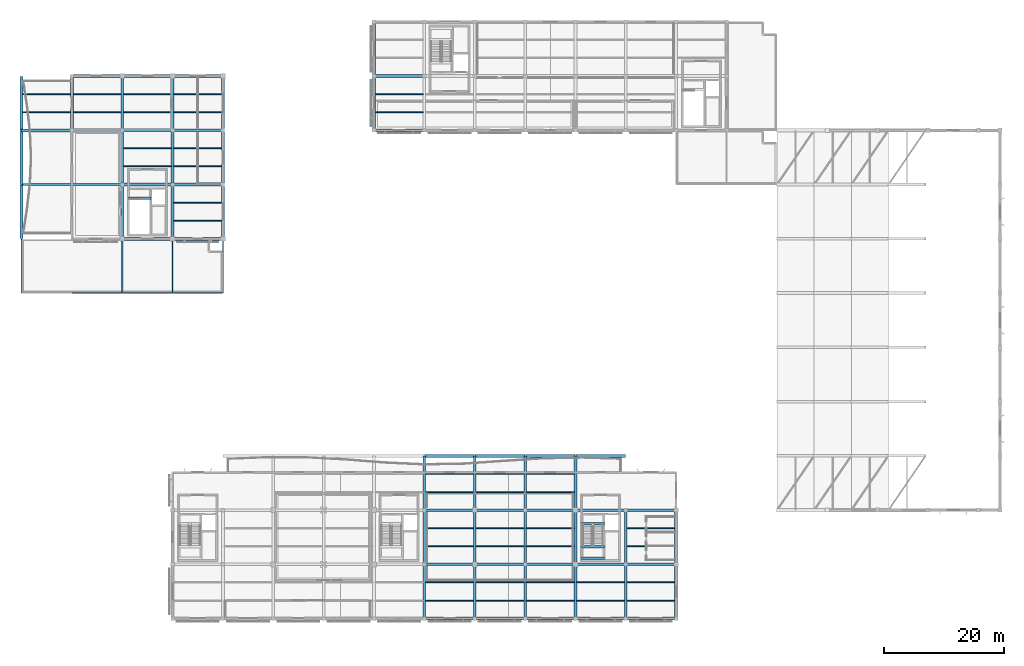
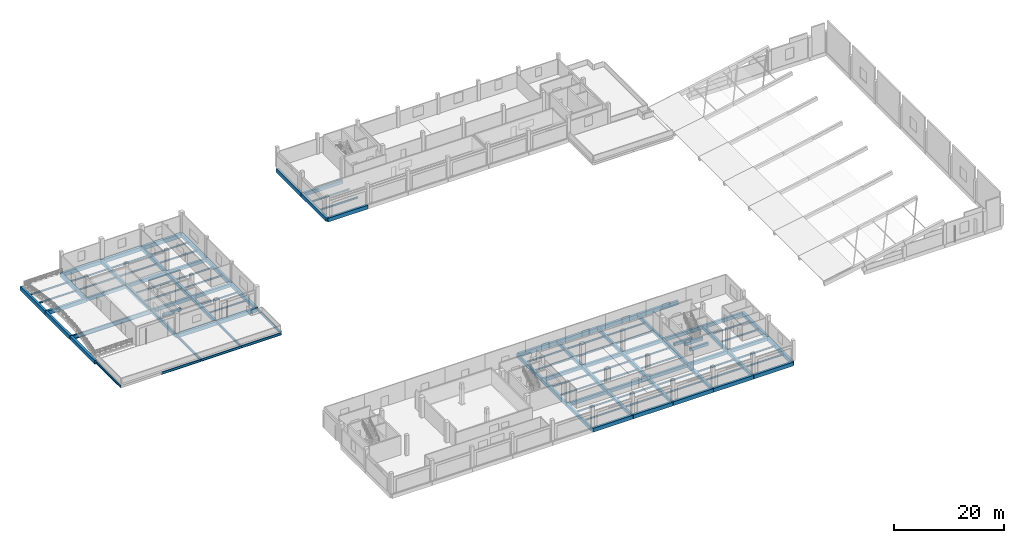
# One storey, part 2 of 34: 115 beams.
"""IFC4 building model written with IfcOpenShell, lengths in metres."""

from ifc_helpers import new_model, si_unit, direction, frame, origin, origin_2d, place, context, subcontext, project, spatial, rectangle, i_section, extrude, material, material_profile, profile_set, type_object, element, save


model = new_model("IFC4")

# Units and contexts
model_context = context("Model", 3, precision=1e-05, world=origin(), true_north=direction((0.0, 1.0)))
body_context = subcontext(model_context, "Body", "Model", "MODEL_VIEW")
ifc_project = project(units=[si_unit("LENGTHUNIT", "METRE"), si_unit("AREAUNIT", "SQUARE_METRE"), si_unit("VOLUMEUNIT", "CUBIC_METRE"), si_unit("PLANEANGLEUNIT", "RADIAN"), si_unit("MASSUNIT", "GRAM", prefix="KILO")], contexts=[model_context])

# Site, building, storey
site_placement = place(None, origin())
site = spatial("IfcSite", under=ifc_project, at=site_placement, CompositionType="ELEMENT")
building_placement = place(site_placement, origin())
building = spatial("IfcBuilding", under=site, at=building_placement, Name="Khurvash Pelagic Aquarium", CompositionType="ELEMENT")
storey_placement = place(building_placement, frame((0.0, 0.0, 15.60009765625)))
storey = spatial("IfcBuildingStorey", under=building, at=storey_placement, Name="L03", CompositionType="ELEMENT", Elevation=15.60009765625)

# Beams
ifc_material_1 = material(Name="Concrete C35/45", Category="concrete")
ifc_material_profile_1 = material_profile(ifc_material_1, rectangle(XDim=0.449951171875, YDim=0.75, at=origin_2d()), Name="RC450X750")
ifc_profile_set_1 = profile_set([ifc_material_profile_1], Name="Concrete C35/45")
beam_type_1 = type_object("IfcBeamType", Name="BM-04", PredefinedType="BEAM", material=ifc_profile_set_1)
for number, where, z_axis, x_axis, name in (
    (1, (67.239990234375, 11.64990234375, -0.695068359375), (1.0, 0.0, 0.0), (0.0, 1.0, 0.0), "L03 Primary Girder BM-04 00846"),
    (2, (75.639892578125, 11.64990234375, -0.695068359375), (1.0, 0.0, 0.0), (0.0, 1.0, 0.0), "L03 Primary Girder BM-04 00847"),
    (3, (84.0400390625, 11.64990234375, -0.695068359375), (1.0, 0.0, 0.0), (0.0, 1.0, 0.0), "L03 Primary Girder BM-04 00848"),
    (4, (92.43994140625, 11.64990234375, -0.695068359375), (1.0, 0.0, 0.0), (0.0, 1.0, 0.0), "L03 Primary Girder BM-04 00849"),
):
    element("IfcBeam", number, at=place(storey_placement, frame(where, z_axis=z_axis, x_axis=x_axis)), inside=storey, type_object=beam_type_1, Name=name, PredefinedType="BEAM", context=body_context, shape_type="SweptSolid", body=[
        extrude(rectangle(XDim=0.449951171875, YDim=0.75, at=origin_2d()), origin(), (0.0, 0.0, 1.0), 8.320068359375),
    ])
beam_1_placement = place(storey_placement, frame((100.840087890625, 11.64990234375, -0.695068359375), z_axis=(1.0, 0.0, 0.0), x_axis=(0.0, 1.0, 0.0)))
element("IfcBeam", 5, at=beam_1_placement, inside=storey, type_object=beam_type_1, Name="L03 Primary Girder BM-04 00850", PredefinedType="BEAM", context=body_context, shape_type="SweptSolid", body=[
    extrude(rectangle(XDim=0.449951171875, YDim=0.75, at=origin_2d()), origin(), (0.0, 0.0, 1.0), 8.31982421875),
])
for number, where, z_axis, x_axis, name in (
    (6, (67.239990234375, 20.699951171875, -0.695068359375), (1.0, 0.0, 0.0), (0.0, 1.0, 0.0), "L03 Primary Girder BM-04 00856"),
    (7, (75.639892578125, 20.699951171875, -0.695068359375), (1.0, 0.0, 0.0), (0.0, 1.0, 0.0), "L03 Primary Girder BM-04 00857"),
    (8, (84.0400390625, 20.699951171875, -0.695068359375), (1.0, 0.0, 0.0), (0.0, 1.0, 0.0), "L03 Primary Girder BM-04 00858"),
    (9, (92.43994140625, 20.699951171875, -0.695068359375), (1.0, 0.0, 0.0), (0.0, 1.0, 0.0), "L03 Primary Girder BM-04 00859"),
):
    element("IfcBeam", number, at=place(storey_placement, frame(where, z_axis=z_axis, x_axis=x_axis)), inside=storey, type_object=beam_type_1, Name=name, PredefinedType="BEAM", context=body_context, shape_type="SweptSolid", body=[
        extrude(rectangle(XDim=0.449951171875, YDim=0.75, at=origin_2d()), origin(), (0.0, 0.0, 1.0), 8.320068359375),
    ])
for number, where, z_axis, x_axis, name in (
    (10, (100.840087890625, 20.699951171875, -0.695068359375), (1.0, 0.0, 0.0), (0.0, 1.0, 0.0), "L03 Primary Girder BM-04 00860"),
    (11, (16.840087890625, 75.0, -0.695068359375), (1.0, 0.0, 0.0), (0.0, 1.0, 0.0), "L03 Primary Girder BM-04 00872"),
):
    element("IfcBeam", number, at=place(storey_placement, frame(where, z_axis=z_axis, x_axis=x_axis)), inside=storey, type_object=beam_type_1, Name=name, PredefinedType="BEAM", context=body_context, shape_type="SweptSolid", body=[
        extrude(rectangle(XDim=0.449951171875, YDim=0.75, at=origin_2d()), origin(), (0.0, 0.0, 1.0), 8.31982421875),
    ])
for number, where, z_axis, x_axis, name in (
    (12, (25.239990234375, 75.0, -0.695068359375), (1.0, 0.0, 0.0), (0.0, 1.0, 0.0), "L03 Primary Girder BM-04 00873"),
    (13, (8.43994140625, 84.050048828125, -0.695068359375), (1.0, 0.0, 0.0), (0.0, 1.0, 0.0), "L03 Primary Girder BM-04 00875"),
):
    element("IfcBeam", number, at=place(storey_placement, frame(where, z_axis=z_axis, x_axis=x_axis)), inside=storey, type_object=beam_type_1, Name=name, PredefinedType="BEAM", context=body_context, shape_type="SweptSolid", body=[
        extrude(rectangle(XDim=0.449951171875, YDim=0.75, at=origin_2d()), origin(), (0.0, 0.0, 1.0), 8.320068359375),
    ])
beam_2_placement = place(storey_placement, frame((16.840087890625, 84.050048828125, -0.695068359375), z_axis=(1.0, 0.0, 0.0), x_axis=(0.0, 1.0, 0.0)))
element("IfcBeam", 14, at=beam_2_placement, inside=storey, type_object=beam_type_1, Name="L03 Primary Girder BM-04 00876", PredefinedType="BEAM", context=body_context, shape_type="SweptSolid", body=[
    extrude(rectangle(XDim=0.449951171875, YDim=0.75, at=origin_2d()), origin(), (0.0, 0.0, 1.0), 8.31982421875),
])
beam_3_placement = place(storey_placement, frame((25.239990234375, 84.050048828125, -0.695068359375), z_axis=(1.0, 0.0, 0.0), x_axis=(0.0, 1.0, 0.0)))
element("IfcBeam", 15, at=beam_3_placement, inside=storey, type_object=beam_type_1, Name="L03 Primary Girder BM-04 00877", PredefinedType="BEAM", context=body_context, shape_type="SweptSolid", body=[
    extrude(rectangle(XDim=0.449951171875, YDim=0.75, at=origin_2d()), origin(), (0.0, 0.0, 1.0), 8.320068359375),
])
beam_4_placement = place(storey_placement, frame((58.840087890625, 93.10009765625, -0.695068359375), z_axis=(1.0, 0.0, 0.0), x_axis=(0.0, 1.0, 0.0)))
element("IfcBeam", 16, at=beam_4_placement, inside=storey, type_object=beam_type_1, Name="L03 Primary Girder BM-04 00888", PredefinedType="BEAM", context=body_context, shape_type="SweptSolid", body=[
    extrude(rectangle(XDim=0.449951171875, YDim=0.75, at=origin_2d()), origin(), (0.0, 0.0, 1.0), 8.31982421875),
])
for number, where, z_axis, x_axis, name in (
    (17, (16.800048828125, 65.989990234375, -0.675048828125), (0.0, 1.0, 0.0), (-1.0, 0.0, 0.0), "L03 Primary Girder BM-04 00906"),
    (18, (16.800048828125, 75.0400390625, -0.675048828125), (0.0, 1.0, 0.0), (-1.0, 0.0, 0.0), "L03 Primary Girder BM-04 00907"),
    (19, (16.800048828125, 84.090087890625, -0.675048828125), (0.0, 1.0, 0.0), (-1.0, 0.0, 0.0), "L03 Primary Girder BM-04 00908"),
    (20, (25.199951171875, 65.989990234375, -0.675048828125), (0.0, 1.0, 0.0), (-1.0, 0.0, 0.0), "L03 Primary Girder BM-04 00911"),
    (21, (25.199951171875, 75.0400390625, -0.675048828125), (0.0, 1.0, 0.0), (-1.0, 0.0, 0.0), "L03 Primary Girder BM-04 00912"),
    (22, (25.199951171875, 84.090087890625, -0.675048828125), (0.0, 1.0, 0.0), (-1.0, 0.0, 0.0), "L03 Primary Girder BM-04 00913"),
):
    element("IfcBeam", number, at=place(storey_placement, frame(where, z_axis=z_axis, x_axis=x_axis)), inside=storey, type_object=beam_type_1, Name=name, PredefinedType="BEAM", context=body_context, shape_type="SweptSolid", body=[
        extrude(rectangle(XDim=0.449951171875, YDim=0.75, at=origin_2d()), origin(), (0.0, 0.0, 1.0), 8.969970703125),
    ])
beam_5_placement = place(storey_placement, frame((67.199951171875, 2.639892578125, -0.675048828125), z_axis=(0.0, 1.0, 0.0), x_axis=(-1.0, 0.0, 0.0)))
element("IfcBeam", 23, at=beam_5_placement, inside=storey, type_object=beam_type_1, Name="L03 Primary Girder BM-04 00930", PredefinedType="BEAM", context=body_context, shape_type="SweptSolid", body=[
    extrude(rectangle(XDim=0.449951171875, YDim=0.75, at=origin_2d()), origin(), (0.0, 0.0, 1.0), 8.97021484375),
])
for number, where, z_axis, x_axis, name in (
    (24, (67.199951171875, 11.68994140625, -0.675048828125), (0.0, 1.0, 0.0), (-1.0, 0.0, 0.0), "L03 Primary Girder BM-04 00931"),
    (25, (67.199951171875, 20.739990234375, -0.675048828125), (0.0, 1.0, 0.0), (-1.0, 0.0, 0.0), "L03 Primary Girder BM-04 00932"),
):
    element("IfcBeam", number, at=place(storey_placement, frame(where, z_axis=z_axis, x_axis=x_axis)), inside=storey, type_object=beam_type_1, Name=name, PredefinedType="BEAM", context=body_context, shape_type="SweptSolid", body=[
        extrude(rectangle(XDim=0.449951171875, YDim=0.75, at=origin_2d()), origin(), (0.0, 0.0, 1.0), 8.969970703125),
    ])
beam_6_placement = place(storey_placement, frame((75.60009765625, 2.639892578125, -0.675048828125), z_axis=(0.0, 1.0, 0.0), x_axis=(-1.0, 0.0, 0.0)))
element("IfcBeam", 26, at=beam_6_placement, inside=storey, type_object=beam_type_1, Name="L03 Primary Girder BM-04 00935", PredefinedType="BEAM", context=body_context, shape_type="SweptSolid", body=[
    extrude(rectangle(XDim=0.449951171875, YDim=0.75, at=origin_2d()), origin(), (0.0, 0.0, 1.0), 8.97021484375),
])
for number, where, z_axis, x_axis, name in (
    (27, (75.60009765625, 11.68994140625, -0.675048828125), (0.0, 1.0, 0.0), (-1.0, 0.0, 0.0), "L03 Primary Girder BM-04 00936"),
    (28, (75.60009765625, 20.739990234375, -0.675048828125), (0.0, 1.0, 0.0), (-1.0, 0.0, 0.0), "L03 Primary Girder BM-04 00937"),
):
    element("IfcBeam", number, at=place(storey_placement, frame(where, z_axis=z_axis, x_axis=x_axis)), inside=storey, type_object=beam_type_1, Name=name, PredefinedType="BEAM", context=body_context, shape_type="SweptSolid", body=[
        extrude(rectangle(XDim=0.449951171875, YDim=0.75, at=origin_2d()), origin(), (0.0, 0.0, 1.0), 8.969970703125),
    ])
beam_7_placement = place(storey_placement, frame((84.0, 2.639892578125, -0.675048828125), z_axis=(0.0, 1.0, 0.0), x_axis=(-1.0, 0.0, 0.0)))
element("IfcBeam", 29, at=beam_7_placement, inside=storey, type_object=beam_type_1, Name="L03 Primary Girder BM-04 00940", PredefinedType="BEAM", context=body_context, shape_type="SweptSolid", body=[
    extrude(rectangle(XDim=0.449951171875, YDim=0.75, at=origin_2d()), origin(), (0.0, 0.0, 1.0), 8.97021484375),
])
for number, where, z_axis, x_axis, name in (
    (30, (84.0, 11.68994140625, -0.675048828125), (0.0, 1.0, 0.0), (-1.0, 0.0, 0.0), "L03 Primary Girder BM-04 00941"),
    (31, (84.0, 20.739990234375, -0.675048828125), (0.0, 1.0, 0.0), (-1.0, 0.0, 0.0), "L03 Primary Girder BM-04 00942"),
):
    element("IfcBeam", number, at=place(storey_placement, frame(where, z_axis=z_axis, x_axis=x_axis)), inside=storey, type_object=beam_type_1, Name=name, PredefinedType="BEAM", context=body_context, shape_type="SweptSolid", body=[
        extrude(rectangle(XDim=0.449951171875, YDim=0.75, at=origin_2d()), origin(), (0.0, 0.0, 1.0), 8.969970703125),
    ])
beam_8_placement = place(storey_placement, frame((92.39990234375, 2.639892578125, -0.675048828125), z_axis=(0.0, 1.0, 0.0), x_axis=(-1.0, 0.0, 0.0)))
element("IfcBeam", 32, at=beam_8_placement, inside=storey, type_object=beam_type_1, Name="L03 Primary Girder BM-04 00945", PredefinedType="BEAM", context=body_context, shape_type="SweptSolid", body=[
    extrude(rectangle(XDim=0.449951171875, YDim=0.75, at=origin_2d()), origin(), (0.0, 0.0, 1.0), 8.97021484375),
])
for number, where, z_axis, x_axis, name in (
    (33, (92.39990234375, 11.68994140625, -0.675048828125), (0.0, 1.0, 0.0), (-1.0, 0.0, 0.0), "L03 Primary Girder BM-04 00946"),
    (34, (92.39990234375, 20.739990234375, -0.675048828125), (0.0, 1.0, 0.0), (-1.0, 0.0, 0.0), "L03 Primary Girder BM-04 00947"),
):
    element("IfcBeam", number, at=place(storey_placement, frame(where, z_axis=z_axis, x_axis=x_axis)), inside=storey, type_object=beam_type_1, Name=name, PredefinedType="BEAM", context=body_context, shape_type="SweptSolid", body=[
        extrude(rectangle(XDim=0.449951171875, YDim=0.75, at=origin_2d()), origin(), (0.0, 0.0, 1.0), 8.969970703125),
    ])
beam_9_placement = place(storey_placement, frame((100.800048828125, 2.639892578125, -0.675048828125), z_axis=(0.0, 1.0, 0.0), x_axis=(-1.0, 0.0, 0.0)))
element("IfcBeam", 35, at=beam_9_placement, inside=storey, type_object=beam_type_1, Name="L03 Primary Girder BM-04 00950", PredefinedType="BEAM", context=body_context, shape_type="SweptSolid", body=[
    extrude(rectangle(XDim=0.449951171875, YDim=0.75, at=origin_2d()), origin(), (0.0, 0.0, 1.0), 8.97021484375),
])
beam_10_placement = place(storey_placement, frame((100.800048828125, 11.68994140625, -0.675048828125), z_axis=(0.0, 1.0, 0.0), x_axis=(-1.0, 0.0, 0.0)))
element("IfcBeam", 36, at=beam_10_placement, inside=storey, type_object=beam_type_1, Name="L03 Primary Girder BM-04 00951", PredefinedType="BEAM", context=body_context, shape_type="SweptSolid", body=[
    extrude(rectangle(XDim=0.449951171875, YDim=0.75, at=origin_2d()), origin(), (0.0, 0.0, 1.0), 8.969970703125),
])
ifc_material_profile_2 = material_profile(ifc_material_1, rectangle(XDim=0.39990234375, YDim=0.64990234375, at=origin_2d()), Name="RC400X650")
ifc_profile_set_2 = profile_set([ifc_material_profile_2], Name="Concrete C35/45")
beam_type_2 = type_object("IfcBeamType", Name="BM-05", PredefinedType="BEAM", material=ifc_profile_set_2)
for number, where, z_axis, x_axis, name in (
    (37, (93.3798828125, 18.429931640625, -0.625), (1.0, 0.0, 0.0), (0.0, 1.0, 0.0), "L03 Stair ST-03 Header Trimmer Beam BM-05"),
    (38, (93.3798828125, 12.669921875, 1.724853515625), (1.0, 0.0, 0.0), (0.0, 1.0, 0.0), "L03 Stair ST-03 Mid-Landing Trimmer Beam BM-05"),
    (39, (93.3798828125, 14.610107421875, 1.724853515625), (1.0, 0.0, 0.0), (0.0, 1.0, 0.0), "L03 Stair ST-03 Mid-Landing Trimmer Beam BM-05"),
    (40, (17.780029296875, 72.72998046875, -0.625), (1.0, 0.0, 0.0), (0.0, 1.0, 0.0), "L03 Stair ST-05 Header Trimmer Beam BM-05"),
):
    element("IfcBeam", number, at=place(storey_placement, frame(where, z_axis=z_axis, x_axis=x_axis)), inside=storey, type_object=beam_type_2, Name=name, PredefinedType="BEAM", context=body_context, shape_type="SweptSolid", body=[
        extrude(rectangle(XDim=0.39990234375, YDim=0.64990234375, at=origin_2d()), origin(), (0.0, 0.0, 1.0), 3.840087890625),
    ])
ifc_material_2 = material(Name="Steel ASTM A992 Grade 50", Category="steel")
ifc_material_profile_3 = material_profile(ifc_material_2, i_section(OverallWidth=0.214111328125, OverallDepth=0.549072265625, WebThickness=0.0146484375, FlangeThickness=0.023681640625, at=origin_2d()), Name="W21X93")
ifc_profile_set_3 = profile_set([ifc_material_profile_3], Name="Steel ASTM A992 Grade 50")
beam_type_3 = type_object("IfcBeamType", Name="BM-11", PredefinedType="BEAM", material=ifc_profile_set_3)
beam_11_placement = place(storey_placement, frame((8.43994140625, 56.89990234375, -0.594482421875), z_axis=(1.0, 0.0, 0.0), x_axis=(0.0, 1.0, 0.0)))
element("IfcBeam", 41, at=beam_11_placement, inside=storey, type_object=beam_type_3, Name="L03 Roof Girder BM-11 01238", PredefinedType="BEAM", context=body_context, shape_type="SweptSolid", body=[
    extrude(i_section(OverallWidth=0.214111328125, OverallDepth=0.549072265625, WebThickness=0.0146484375, FlangeThickness=0.023681640625, at=origin_2d()), origin(), (0.0, 0.0, 1.0), 8.320068359375),
])
beam_12_placement = place(storey_placement, frame((16.840087890625, 56.89990234375, -0.594482421875), z_axis=(1.0, 0.0, 0.0), x_axis=(0.0, 1.0, 0.0)))
element("IfcBeam", 42, at=beam_12_placement, inside=storey, type_object=beam_type_3, Name="L03 Roof Girder BM-11 01239", PredefinedType="BEAM", context=body_context, shape_type="SweptSolid", body=[
    extrude(i_section(OverallWidth=0.214111328125, OverallDepth=0.549072265625, WebThickness=0.0146484375, FlangeThickness=0.023681640625, at=origin_2d()), origin(), (0.0, 0.0, 1.0), 8.31982421875),
])
beam_13_placement = place(storey_placement, frame((25.239990234375, 56.89990234375, -0.594482421875), z_axis=(1.0, 0.0, 0.0), x_axis=(0.0, 1.0, 0.0)))
element("IfcBeam", 43, at=beam_13_placement, inside=storey, type_object=beam_type_3, Name="L03 Roof Girder BM-11 01240", PredefinedType="BEAM", context=body_context, shape_type="SweptSolid", body=[
    extrude(i_section(OverallWidth=0.214111328125, OverallDepth=0.549072265625, WebThickness=0.0146484375, FlangeThickness=0.023681640625, at=origin_2d()), origin(), (0.0, 0.0, 1.0), 8.320068359375),
])
for number, where, z_axis, x_axis, name in (
    (44, (0.0, 56.93994140625, -0.594482421875), (0.0, 1.0, 0.0), (-1.0, 0.0, 0.0), "L03 Roof Girder BM-11 01244"),
    (45, (16.800048828125, 56.93994140625, -0.594482421875), (0.0, 1.0, 0.0), (-1.0, 0.0, 0.0), "L03 Roof Girder BM-11 01245"),
    (46, (25.199951171875, 56.93994140625, -0.594482421875), (0.0, 1.0, 0.0), (-1.0, 0.0, 0.0), "L03 Roof Girder BM-11 01246"),
    (47, (33.60009765625, 56.93994140625, -0.594482421875), (0.0, 1.0, 0.0), (-1.0, 0.0, 0.0), "L03 Roof Girder BM-11 01247"),
):
    element("IfcBeam", number, at=place(storey_placement, frame(where, z_axis=z_axis, x_axis=x_axis)), inside=storey, type_object=beam_type_3, Name=name, PredefinedType="BEAM", context=body_context, shape_type="SweptSolid", body=[
        extrude(i_section(OverallWidth=0.214111328125, OverallDepth=0.549072265625, WebThickness=0.0146484375, FlangeThickness=0.023681640625, at=origin_2d()), origin(), (0.0, 0.0, 1.0), 8.969970703125),
    ])
ifc_material_profile_4 = material_profile(ifc_material_2, i_section(OverallWidth=0.31005859375, OverallDepth=0.931884765625, WebThickness=0.02099609375, FlangeThickness=0.034423828125, at=origin_2d()), Name="W36X210")
ifc_profile_set_4 = profile_set([ifc_material_profile_4], Name="Steel ASTM A992 Grade 50")
beam_type_4 = type_object("IfcBeamType", Name="BM-13", PredefinedType="BEAM", material=ifc_profile_set_4)
beam_14_placement = place(storey_placement, frame((0.0400390625, 75.0, -0.7861328125), z_axis=(1.0, 0.0, 0.0), x_axis=(0.0, 1.0, 0.0)))
element("IfcBeam", 48, at=beam_14_placement, inside=storey, type_object=beam_type_4, Name="L03 Primary Girder BM-13 00871", PredefinedType="BEAM", context=body_context, shape_type="SweptSolid", body=[
    extrude(i_section(OverallWidth=0.31005859375, OverallDepth=0.931884765625, WebThickness=0.02099609375, FlangeThickness=0.034423828125, at=origin_2d()), origin(), (0.0, 0.0, 1.0), 16.719970703125),
])
ifc_material_3 = material(Name="Steel S355J2", Category="steel")
ifc_material_profile_5 = material_profile(ifc_material_3, i_section(OverallWidth=0.169921875, OverallDepth=0.360107421875, WebThickness=0.008056640625, FlangeThickness=0.0126953125, at=origin_2d()), Name="IPE360")
ifc_profile_set_5 = profile_set([ifc_material_profile_5], Name="Steel S355J2")
beam_type_5 = type_object("IfcBeamType", Name="JS-04", PredefinedType="JOIST", material=ifc_profile_set_5)
for number, where, z_axis, x_axis, name in (
    (49, (0.25, 87.06689453125, -0.47998046875), (1.0, 0.0, 0.0), (0.0, 1.0, 0.0), "L03 Floor Joist JS-04 00960"),
    (50, (0.25, 90.0830078125, -0.47998046875), (1.0, 0.0, 0.0), (0.0, 1.0, 0.0), "L03 Floor Joist JS-04 00961"),
):
    element("IfcBeam", number, at=place(storey_placement, frame(where, z_axis=z_axis, x_axis=x_axis)), inside=storey, type_object=beam_type_5, Name=name, PredefinedType="JOIST", context=body_context, shape_type="SweptSolid", body=[
        extrude(i_section(OverallWidth=0.169921875, OverallDepth=0.360107421875, WebThickness=0.008056640625, FlangeThickness=0.0126953125, at=origin_2d()), origin(), (0.0, 0.0, 1.0), 7.89990234375),
    ])
for number, where, z_axis, x_axis, name in (
    (51, (8.64990234375, 87.06689453125, -0.47998046875), (1.0, 0.0, 0.0), (0.0, 1.0, 0.0), "L03 Floor Joist JS-04 00962"),
    (52, (8.64990234375, 90.0830078125, -0.47998046875), (1.0, 0.0, 0.0), (0.0, 1.0, 0.0), "L03 Floor Joist JS-04 00963"),
):
    element("IfcBeam", number, at=place(storey_placement, frame(where, z_axis=z_axis, x_axis=x_axis)), inside=storey, type_object=beam_type_5, Name=name, PredefinedType="JOIST", context=body_context, shape_type="SweptSolid", body=[
        extrude(i_section(OverallWidth=0.169921875, OverallDepth=0.360107421875, WebThickness=0.008056640625, FlangeThickness=0.0126953125, at=origin_2d()), origin(), (0.0, 0.0, 1.0), 7.925048828125),
    ])
for number, where, z_axis, x_axis, name in (
    (53, (17.02490234375, 78.01708984375, -0.47998046875), (1.0, 0.0, 0.0), (0.0, 1.0, 0.0), "L03 Floor Joist JS-04 00964"),
    (54, (17.02490234375, 81.032958984375, -0.47998046875), (1.0, 0.0, 0.0), (0.0, 1.0, 0.0), "L03 Floor Joist JS-04 00965"),
    (55, (17.02490234375, 87.06689453125, -0.47998046875), (1.0, 0.0, 0.0), (0.0, 1.0, 0.0), "L03 Floor Joist JS-04 00966"),
    (56, (17.02490234375, 90.0830078125, -0.47998046875), (1.0, 0.0, 0.0), (0.0, 1.0, 0.0), "L03 Floor Joist JS-04 00967"),
):
    element("IfcBeam", number, at=place(storey_placement, frame(where, z_axis=z_axis, x_axis=x_axis)), inside=storey, type_object=beam_type_5, Name=name, PredefinedType="JOIST", context=body_context, shape_type="SweptSolid", body=[
        extrude(i_section(OverallWidth=0.169921875, OverallDepth=0.360107421875, WebThickness=0.008056640625, FlangeThickness=0.0126953125, at=origin_2d()), origin(), (0.0, 0.0, 1.0), 7.9501953125),
    ])
for number, where, z_axis, x_axis, name in (
    (57, (25.425048828125, 68.967041015625, -0.47998046875), (1.0, 0.0, 0.0), (0.0, 1.0, 0.0), "L03 Floor Joist JS-04 00970"),
    (58, (25.425048828125, 71.98291015625, -0.47998046875), (1.0, 0.0, 0.0), (0.0, 1.0, 0.0), "L03 Floor Joist JS-04 00971"),
    (59, (25.425048828125, 78.01708984375, -0.47998046875), (1.0, 0.0, 0.0), (0.0, 1.0, 0.0), "L03 Floor Joist JS-04 00972"),
    (60, (25.425048828125, 81.032958984375, -0.47998046875), (1.0, 0.0, 0.0), (0.0, 1.0, 0.0), "L03 Floor Joist JS-04 00973"),
    (61, (25.425048828125, 87.06689453125, -0.47998046875), (1.0, 0.0, 0.0), (0.0, 1.0, 0.0), "L03 Floor Joist JS-04 00974"),
    (62, (25.425048828125, 90.0830078125, -0.47998046875), (1.0, 0.0, 0.0), (0.0, 1.0, 0.0), "L03 Floor Joist JS-04 00975"),
    (63, (59.050048828125, 87.06689453125, -0.47998046875), (1.0, 0.0, 0.0), (0.0, 1.0, 0.0), "L03 Floor Joist JS-04 00996"),
    (64, (59.050048828125, 90.0830078125, -0.47998046875), (1.0, 0.0, 0.0), (0.0, 1.0, 0.0), "L03 Floor Joist JS-04 00997"),
):
    element("IfcBeam", number, at=place(storey_placement, frame(where, z_axis=z_axis, x_axis=x_axis)), inside=storey, type_object=beam_type_5, Name=name, PredefinedType="JOIST", context=body_context, shape_type="SweptSolid", body=[
        extrude(i_section(OverallWidth=0.169921875, OverallDepth=0.360107421875, WebThickness=0.008056640625, FlangeThickness=0.0126953125, at=origin_2d()), origin(), (0.0, 0.0, 1.0), 7.925048828125),
    ])
for number, where, z_axis, x_axis, name in (
    (65, (67.425048828125, 5.616943359375, -0.47998046875), (1.0, 0.0, 0.0), (0.0, 1.0, 0.0), "L03 Floor Joist JS-04 01000"),
    (66, (67.425048828125, 8.633056640625, -0.47998046875), (1.0, 0.0, 0.0), (0.0, 1.0, 0.0), "L03 Floor Joist JS-04 01001"),
    (67, (67.425048828125, 14.6669921875, -0.47998046875), (1.0, 0.0, 0.0), (0.0, 1.0, 0.0), "L03 Floor Joist JS-04 01002"),
    (68, (67.425048828125, 17.68310546875, -0.47998046875), (1.0, 0.0, 0.0), (0.0, 1.0, 0.0), "L03 Floor Joist JS-04 01003"),
    (69, (67.425048828125, 23.717041015625, -0.47998046875), (1.0, 0.0, 0.0), (0.0, 1.0, 0.0), "L03 Floor Joist JS-04 01004"),
    (70, (67.425048828125, 26.73291015625, -0.47998046875), (1.0, 0.0, 0.0), (0.0, 1.0, 0.0), "L03 Floor Joist JS-04 01005"),
    (71, (75.824951171875, 5.616943359375, -0.47998046875), (1.0, 0.0, 0.0), (0.0, 1.0, 0.0), "L03 Floor Joist JS-04 01008"),
    (72, (75.824951171875, 8.633056640625, -0.47998046875), (1.0, 0.0, 0.0), (0.0, 1.0, 0.0), "L03 Floor Joist JS-04 01009"),
    (73, (75.824951171875, 14.6669921875, -0.47998046875), (1.0, 0.0, 0.0), (0.0, 1.0, 0.0), "L03 Floor Joist JS-04 01010"),
    (74, (75.824951171875, 17.68310546875, -0.47998046875), (1.0, 0.0, 0.0), (0.0, 1.0, 0.0), "L03 Floor Joist JS-04 01011"),
    (75, (75.824951171875, 23.717041015625, -0.47998046875), (1.0, 0.0, 0.0), (0.0, 1.0, 0.0), "L03 Floor Joist JS-04 01012"),
    (76, (75.824951171875, 26.73291015625, -0.47998046875), (1.0, 0.0, 0.0), (0.0, 1.0, 0.0), "L03 Floor Joist JS-04 01013"),
    (77, (84.22509765625, 5.616943359375, -0.47998046875), (1.0, 0.0, 0.0), (0.0, 1.0, 0.0), "L03 Floor Joist JS-04 01018"),
    (78, (84.22509765625, 8.633056640625, -0.47998046875), (1.0, 0.0, 0.0), (0.0, 1.0, 0.0), "L03 Floor Joist JS-04 01019"),
    (79, (84.22509765625, 14.6669921875, -0.47998046875), (1.0, 0.0, 0.0), (0.0, 1.0, 0.0), "L03 Floor Joist JS-04 01020"),
    (80, (84.22509765625, 17.68310546875, -0.47998046875), (1.0, 0.0, 0.0), (0.0, 1.0, 0.0), "L03 Floor Joist JS-04 01021"),
    (81, (84.22509765625, 23.717041015625, -0.47998046875), (1.0, 0.0, 0.0), (0.0, 1.0, 0.0), "L03 Floor Joist JS-04 01022"),
    (82, (84.22509765625, 26.73291015625, -0.47998046875), (1.0, 0.0, 0.0), (0.0, 1.0, 0.0), "L03 Floor Joist JS-04 01023"),
    (83, (92.625, 5.616943359375, -0.47998046875), (1.0, 0.0, 0.0), (0.0, 1.0, 0.0), "L03 Floor Joist JS-04 01028"),
    (84, (92.625, 8.633056640625, -0.47998046875), (1.0, 0.0, 0.0), (0.0, 1.0, 0.0), "L03 Floor Joist JS-04 01029"),
):
    element("IfcBeam", number, at=place(storey_placement, frame(where, z_axis=z_axis, x_axis=x_axis)), inside=storey, type_object=beam_type_5, Name=name, PredefinedType="JOIST", context=body_context, shape_type="SweptSolid", body=[
        extrude(i_section(OverallWidth=0.169921875, OverallDepth=0.360107421875, WebThickness=0.008056640625, FlangeThickness=0.0126953125, at=origin_2d()), origin(), (0.0, 0.0, 1.0), 7.949951171875),
    ])
for number, where, z_axis, x_axis, name in (
    (85, (101.02490234375, 5.616943359375, -0.47998046875), (1.0, 0.0, 0.0), (0.0, 1.0, 0.0), "L03 Floor Joist JS-04 01034"),
    (86, (101.02490234375, 8.633056640625, -0.47998046875), (1.0, 0.0, 0.0), (0.0, 1.0, 0.0), "L03 Floor Joist JS-04 01035"),
    (87, (101.02490234375, 14.6669921875, -0.47998046875), (1.0, 0.0, 0.0), (0.0, 1.0, 0.0), "L03 Floor Joist JS-04 01036"),
    (88, (101.02490234375, 17.68310546875, -0.47998046875), (1.0, 0.0, 0.0), (0.0, 1.0, 0.0), "L03 Floor Joist JS-04 01037"),
):
    element("IfcBeam", number, at=place(storey_placement, frame(where, z_axis=z_axis, x_axis=x_axis)), inside=storey, type_object=beam_type_5, Name=name, PredefinedType="JOIST", context=body_context, shape_type="SweptSolid", body=[
        extrude(i_section(OverallWidth=0.169921875, OverallDepth=0.360107421875, WebThickness=0.008056640625, FlangeThickness=0.0126953125, at=origin_2d()), origin(), (0.0, 0.0, 1.0), 7.925048828125),
    ])
ifc_material_4 = material(Name="Concrete C40/50", Category="concrete")
ifc_material_profile_6 = material_profile(ifc_material_4, rectangle(XDim=0.5, YDim=0.85009765625, at=origin_2d()), Name="RC500X850")
ifc_profile_set_6 = profile_set([ifc_material_profile_6], Name="Concrete C40/50")
beam_type_6 = type_object("IfcBeamType", Name="SEB-03", PredefinedType="SPANDREL", material=ifc_profile_set_6)
for number, where, z_axis, x_axis, name in (
    (89, (67.239990234375, 2.60009765625, -0.7451171875), (1.0, 0.0, 0.0), (0.0, 1.0, 0.0), "L03 Primary Girder SEB-03 00836"),
    (90, (75.639892578125, 2.60009765625, -0.7451171875), (1.0, 0.0, 0.0), (0.0, 1.0, 0.0), "L03 Primary Girder SEB-03 00837"),
    (91, (84.0400390625, 2.60009765625, -0.7451171875), (1.0, 0.0, 0.0), (0.0, 1.0, 0.0), "L03 Primary Girder SEB-03 00838"),
    (92, (92.43994140625, 2.60009765625, -0.7451171875), (1.0, 0.0, 0.0), (0.0, 1.0, 0.0), "L03 Primary Girder SEB-03 00839"),
):
    element("IfcBeam", number, at=place(storey_placement, frame(where, z_axis=z_axis, x_axis=x_axis)), inside=storey, type_object=beam_type_6, Name=name, PredefinedType="SPANDREL", context=body_context, shape_type="SweptSolid", body=[
        extrude(rectangle(XDim=0.5, YDim=0.85009765625, at=origin_2d()), origin(), (0.0, 0.0, 1.0), 8.320068359375),
    ])
beam_15_placement = place(storey_placement, frame((100.840087890625, 2.60009765625, -0.7451171875), z_axis=(1.0, 0.0, 0.0), x_axis=(0.0, 1.0, 0.0)))
element("IfcBeam", 93, at=beam_15_placement, inside=storey, type_object=beam_type_6, Name="L03 Primary Girder SEB-03 00840", PredefinedType="SPANDREL", context=body_context, shape_type="SweptSolid", body=[
    extrude(rectangle(XDim=0.5, YDim=0.85009765625, at=origin_2d()), origin(), (0.0, 0.0, 1.0), 8.31982421875),
])
for number, where, z_axis, x_axis, name in (
    (94, (67.239990234375, 29.75, -0.7451171875), (1.0, 0.0, 0.0), (0.0, 1.0, 0.0), "L03 Primary Girder SEB-03 00865"),
    (95, (75.639892578125, 29.75, -0.7451171875), (1.0, 0.0, 0.0), (0.0, 1.0, 0.0), "L03 Primary Girder SEB-03 00866"),
    (96, (84.0400390625, 29.75, -0.7451171875), (1.0, 0.0, 0.0), (0.0, 1.0, 0.0), "L03 Primary Girder SEB-03 00867"),
    (97, (92.43994140625, 29.75, -0.7451171875), (1.0, 0.0, 0.0), (0.0, 1.0, 0.0), "L03 Primary Girder SEB-03 00868"),
):
    element("IfcBeam", number, at=place(storey_placement, frame(where, z_axis=z_axis, x_axis=x_axis)), inside=storey, type_object=beam_type_6, Name=name, PredefinedType="SPANDREL", context=body_context, shape_type="SweptSolid", body=[
        extrude(rectangle(XDim=0.5, YDim=0.85009765625, at=origin_2d()), origin(), (0.0, 0.0, 1.0), 8.320068359375),
    ])
beam_16_placement = place(storey_placement, frame((16.840087890625, 65.949951171875, -0.7451171875), z_axis=(1.0, 0.0, 0.0), x_axis=(0.0, 1.0, 0.0)))
element("IfcBeam", 98, at=beam_16_placement, inside=storey, type_object=beam_type_6, Name="L03 Primary Girder SEB-03 00869", PredefinedType="SPANDREL", context=body_context, shape_type="SweptSolid", body=[
    extrude(rectangle(XDim=0.5, YDim=0.85009765625, at=origin_2d()), origin(), (0.0, 0.0, 1.0), 8.31982421875),
])
for number, where, z_axis, x_axis, name in (
    (99, (25.239990234375, 65.949951171875, -0.7451171875), (1.0, 0.0, 0.0), (0.0, 1.0, 0.0), "L03 Primary Girder SEB-03 00870"),
    (100, (0.0400390625, 84.050048828125, -0.7451171875), (1.0, 0.0, 0.0), (0.0, 1.0, 0.0), "L03 Primary Girder SEB-03 00874"),
):
    element("IfcBeam", number, at=place(storey_placement, frame(where, z_axis=z_axis, x_axis=x_axis)), inside=storey, type_object=beam_type_6, Name=name, PredefinedType="SPANDREL", context=body_context, shape_type="SweptSolid", body=[
        extrude(rectangle(XDim=0.5, YDim=0.85009765625, at=origin_2d()), origin(), (0.0, 0.0, 1.0), 8.320068359375),
    ])
beam_17_placement = place(storey_placement, frame((58.840087890625, 84.050048828125, -0.7451171875), z_axis=(1.0, 0.0, 0.0), x_axis=(0.0, 1.0, 0.0)))
element("IfcBeam", 101, at=beam_17_placement, inside=storey, type_object=beam_type_6, Name="L03 Primary Girder SEB-03 00878", PredefinedType="SPANDREL", context=body_context, shape_type="SweptSolid", body=[
    extrude(rectangle(XDim=0.5, YDim=0.85009765625, at=origin_2d()), origin(), (0.0, 0.0, 1.0), 8.31982421875),
])
beam_18_placement = place(storey_placement, frame((8.43994140625, 93.10009765625, -0.7451171875), z_axis=(1.0, 0.0, 0.0), x_axis=(0.0, 1.0, 0.0)))
element("IfcBeam", 102, at=beam_18_placement, inside=storey, type_object=beam_type_6, Name="L03 Primary Girder SEB-03 00885", PredefinedType="SPANDREL", context=body_context, shape_type="SweptSolid", body=[
    extrude(rectangle(XDim=0.5, YDim=0.85009765625, at=origin_2d()), origin(), (0.0, 0.0, 1.0), 8.320068359375),
])
beam_19_placement = place(storey_placement, frame((16.840087890625, 93.10009765625, -0.7451171875), z_axis=(1.0, 0.0, 0.0), x_axis=(0.0, 1.0, 0.0)))
element("IfcBeam", 103, at=beam_19_placement, inside=storey, type_object=beam_type_6, Name="L03 Primary Girder SEB-03 00886", PredefinedType="SPANDREL", context=body_context, shape_type="SweptSolid", body=[
    extrude(rectangle(XDim=0.5, YDim=0.85009765625, at=origin_2d()), origin(), (0.0, 0.0, 1.0), 8.31982421875),
])
beam_20_placement = place(storey_placement, frame((25.239990234375, 93.10009765625, -0.7451171875), z_axis=(1.0, 0.0, 0.0), x_axis=(0.0, 1.0, 0.0)))
element("IfcBeam", 104, at=beam_20_placement, inside=storey, type_object=beam_type_6, Name="L03 Primary Girder SEB-03 00887", PredefinedType="SPANDREL", context=body_context, shape_type="SweptSolid", body=[
    extrude(rectangle(XDim=0.5, YDim=0.85009765625, at=origin_2d()), origin(), (0.0, 0.0, 1.0), 8.320068359375),
])
for number, where, z_axis, x_axis, name in (
    (105, (0.0, 65.989990234375, -0.72509765625), (0.0, 1.0, 0.0), (-1.0, 0.0, 0.0), "L03 Primary Girder SEB-03 00902"),
    (106, (0.0, 75.0400390625, -0.72509765625), (0.0, 1.0, 0.0), (-1.0, 0.0, 0.0), "L03 Primary Girder SEB-03 00903"),
    (107, (0.0, 84.090087890625, -0.72509765625), (0.0, 1.0, 0.0), (-1.0, 0.0, 0.0), "L03 Primary Girder SEB-03 00904"),
    (108, (8.39990234375, 84.090087890625, -0.72509765625), (0.0, 1.0, 0.0), (-1.0, 0.0, 0.0), "L03 Primary Girder SEB-03 00905"),
    (109, (33.60009765625, 65.989990234375, -0.72509765625), (0.0, 1.0, 0.0), (-1.0, 0.0, 0.0), "L03 Primary Girder SEB-03 00916"),
    (110, (33.60009765625, 75.0400390625, -0.72509765625), (0.0, 1.0, 0.0), (-1.0, 0.0, 0.0), "L03 Primary Girder SEB-03 00917"),
    (111, (33.60009765625, 84.090087890625, -0.72509765625), (0.0, 1.0, 0.0), (-1.0, 0.0, 0.0), "L03 Primary Girder SEB-03 00918"),
    (112, (58.800048828125, 84.090087890625, -0.72509765625), (0.0, 1.0, 0.0), (-1.0, 0.0, 0.0), "L03 Primary Girder SEB-03 00928"),
):
    element("IfcBeam", number, at=place(storey_placement, frame(where, z_axis=z_axis, x_axis=x_axis)), inside=storey, type_object=beam_type_6, Name=name, PredefinedType="SPANDREL", context=body_context, shape_type="SweptSolid", body=[
        extrude(rectangle(XDim=0.5, YDim=0.85009765625, at=origin_2d()), origin(), (0.0, 0.0, 1.0), 8.969970703125),
    ])
for number, where, z_axis, x_axis, name in (
    (113, (58.800048828125, 93.139892578125, -0.72509765625), (0.0, 1.0, 0.0), (-1.0, 0.0, 0.0), "L03 Primary Girder SEB-03 00929"),
    (114, (109.199951171875, 2.639892578125, -0.72509765625), (0.0, 1.0, 0.0), (-1.0, 0.0, 0.0), "L03 Primary Girder SEB-03 00954"),
):
    element("IfcBeam", number, at=place(storey_placement, frame(where, z_axis=z_axis, x_axis=x_axis)), inside=storey, type_object=beam_type_6, Name=name, PredefinedType="SPANDREL", context=body_context, shape_type="SweptSolid", body=[
        extrude(rectangle(XDim=0.5, YDim=0.85009765625, at=origin_2d()), origin(), (0.0, 0.0, 1.0), 8.97021484375),
    ])
beam_21_placement = place(storey_placement, frame((109.199951171875, 11.68994140625, -0.72509765625), z_axis=(0.0, 1.0, 0.0), x_axis=(-1.0, 0.0, 0.0)))
element("IfcBeam", 115, at=beam_21_placement, inside=storey, type_object=beam_type_6, Name="L03 Primary Girder SEB-03 00955", PredefinedType="SPANDREL", context=body_context, shape_type="SweptSolid", body=[
    extrude(rectangle(XDim=0.5, YDim=0.85009765625, at=origin_2d()), origin(), (0.0, 0.0, 1.0), 8.969970703125),
])

save(model, "model.ifc")
